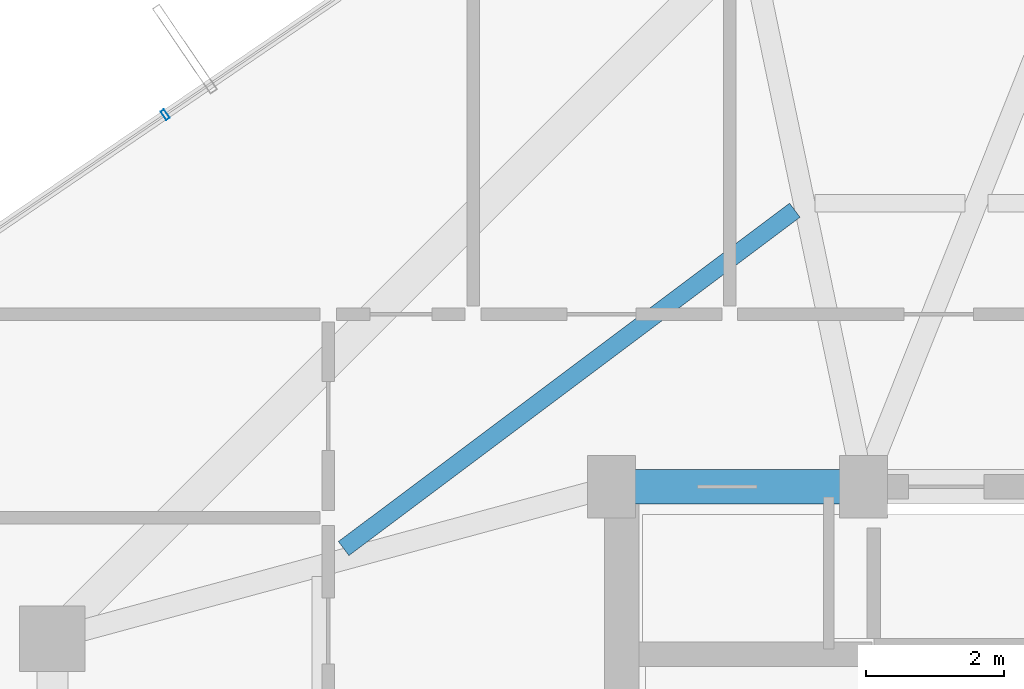
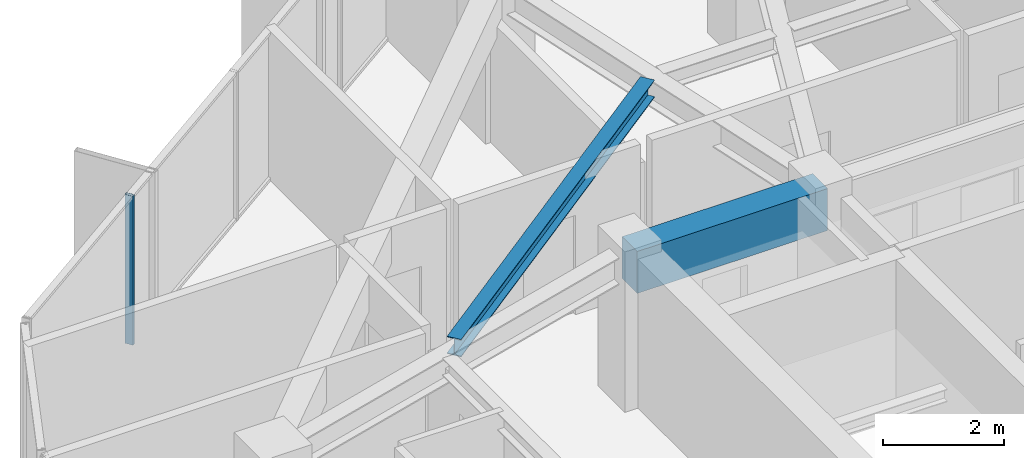
# One storey, part 17 of 34: 2 beams, 1 member, 1 element without a shape of its own.
"""IFC4 building model written with IfcOpenShell, lengths in metres."""

from ifc_helpers import new_model, si_unit, direction, frame, origin, origin_2d, place, context, subcontext, project, spatial, rectangle, hollow_rectangle, i_section, extrude, source, transform, mapped, material, layer, layer_set, material_profile, profile_set, type_object, element, aggregate, save


model = new_model("IFC4")

# Units and contexts
model_context = context("Model", 3, precision=1e-05, world=origin(), true_north=direction((0.0, 1.0)))
body_context = subcontext(model_context, "Body", "Model", "MODEL_VIEW")
ifc_project = project(units=[si_unit("LENGTHUNIT", "METRE"), si_unit("AREAUNIT", "SQUARE_METRE"), si_unit("VOLUMEUNIT", "CUBIC_METRE"), si_unit("PLANEANGLEUNIT", "RADIAN"), si_unit("MASSUNIT", "GRAM", prefix="KILO")], contexts=[model_context])

# Site, building, storey
site_placement = place(None, origin())
site = spatial("IfcSite", under=ifc_project, at=site_placement, CompositionType="ELEMENT")
building_placement = place(site_placement, origin())
building = spatial("IfcBuilding", under=site, at=building_placement, Name="Veraguas Prism Commons", CompositionType="ELEMENT")
storey_placement = place(building_placement, frame((0.0, 0.0, 191.85009765625)))
storey = spatial("IfcBuildingStorey", under=building, at=storey_placement, Name="L54", CompositionType="ELEMENT", Elevation=191.85009765625)

# Beams
ifc_material_1 = material(Name="Concrete C50/60", Category="concrete")
ifc_material_profile_1 = material_profile(ifc_material_1, rectangle(XDim=0.5, YDim=0.85009765625, at=origin_2d()), Name="RC500X850")
ifc_profile_set_1 = profile_set([ifc_material_profile_1], Name="Concrete C50/60")
beam_type_1 = type_object("IfcBeamType", Name="Core Coupling Beam RC 500x850", PredefinedType="BEAM", material=ifc_profile_set_1)
beam_1_placement = place(storey_placement, frame((17.199951171875, 31.0, 2.58984375), z_axis=(1.0, 0.0, 0.0), x_axis=(0.0, 1.0, 0.0)))
element("IfcBeam", 1, at=beam_1_placement, inside=storey, type_object=beam_type_1, Name="Core Coupling Beam L54-CRN1", PredefinedType="BEAM", context=body_context, shape_type="SweptSolid", body=[
    extrude(rectangle(XDim=0.5, YDim=0.85009765625, at=origin_2d()), origin(), (0.0, 0.0, 1.0), 3.650146484375),
])
ifc_material_2 = material(Name="Steel ASTM A992 Grade 50", Category="steel")
ifc_material_profile_2 = material_profile(ifc_material_2, i_section(OverallWidth=0.25390625, OverallDepth=0.35302734375, WebThickness=0.009521484375, FlangeThickness=0.016357421875, at=origin_2d()), Name="W360X91")
ifc_profile_set_2 = profile_set([ifc_material_profile_2], Name="Steel ASTM A992 Grade 50")
beam_type_2 = type_object("IfcBeamType", Name="Upper Floor Joist W360x91", PredefinedType="JOIST", material=ifc_profile_set_2)
beam_2_placement = place(storey_placement, frame((19.8564453125, 35.00634765625, 2.83837890625), z_axis=(-0.800060962004, -0.599918708724, 0.0), x_axis=(0.599918708724, -0.800060962004, 0.0)))
element("IfcBeam", 2, at=beam_2_placement, inside=storey, type_object=beam_type_2, Name="Composite Floor Joist L54-JS06", PredefinedType="JOIST", context=body_context, shape_type="SweptSolid", body=[
    extrude(i_section(OverallWidth=0.25390625, OverallDepth=0.35302734375, WebThickness=0.009521484375, FlangeThickness=0.016357421875, at=origin_2d()), origin(), (0.0, 0.0, 1.0), 8.169189453125),
])

# Curtain wall, member
ifc_material_3 = material(Name="Anodised aluminium EN AW-6063 T6", Category="aluminium")
ifc_layer = layer(ifc_material_3, 0.14990234375, Name="Unitised Flush Curtain Wall Zone 3", Category="aluminium")
ifc_layer_set = layer_set([ifc_layer], Name="Anodised aluminium EN AW-6063 T6")
curtain_wall_type = type_object("IfcCurtainWallType", Name="Unitised Flush Curtain Wall Zone 3", PredefinedType="NOTDEFINED", material=ifc_layer_set)
curtain_wall_placement = place(storey_placement, origin())
curtain_wall = element("IfcCurtainWall", 3, at=curtain_wall_placement, inside=storey, type_object=curtain_wall_type, Name="Tower Facade Curtain Wall L54-F2", PredefinedType="NOTDEFINED")
ifc_material_profile_3 = material_profile(ifc_material_3, hollow_rectangle(XDim=0.06005859375, YDim=0.14990234375, WallThickness=0.0029296875, at=origin_2d()), Name="AL60X150X3")
ifc_profile_set_3 = profile_set([ifc_material_profile_3], Name="Anodised aluminium EN AW-6063 T6")
member_type = type_object("IfcMemberType", Name="Curtain Wall Mullion Upper AL 60x150x3", PredefinedType="MULLION", material=ifc_profile_set_3)
shared_shape = source(origin(), body_context, "Body", "SweptSolid", [
    extrude(hollow_rectangle(XDim=0.06005859375, YDim=0.14990234375, WallThickness=0.0029296875, at=origin_2d()), origin(), (0.0, 0.0, 1.0), 3.014892578125),
])
member_placement = place(storey_placement, frame((10.735595703125, 36.389892578125, 0.0), z_axis=(0.0, 0.0, 1.0), x_axis=(-0.826095343869, -0.56353037437, 0.0)))
member = element("IfcMember", 4, at=member_placement, type_object=member_type, Name="CW-Z3 Mullion 4", PredefinedType="MULLION", context=body_context, shape_type="MappedRepresentation", body=[
    mapped(shared_shape, transform((0.0, 0.0, 0.0), scale=1.0)),
])
aggregate(curtain_wall, [member])

save(model, "model.ifc")
